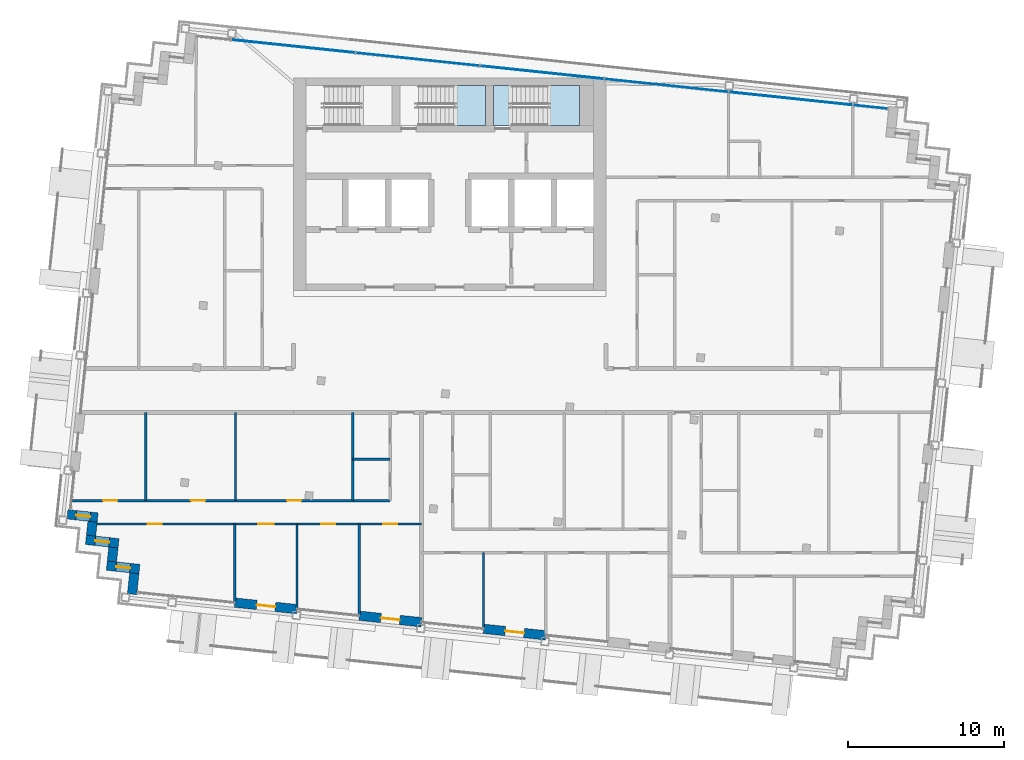
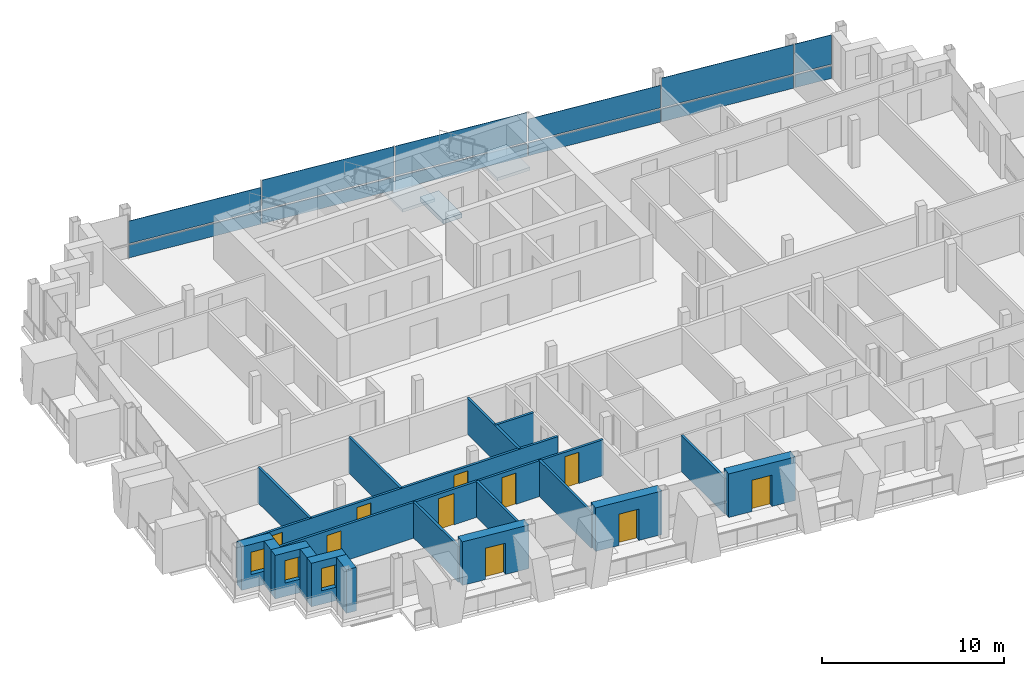
# One storey, part 8 of 17: 19 walls, 12 plates, 10 doors, 3 slabs, 3 windows, 13 openings, 3 elements without a shape of their own.
"""IFC4 building model written with IfcOpenShell, lengths in metres."""

from ifc_helpers import new_model, si_unit, direction, frame, frame_2d, origin, origin_2d, place, context, subcontext, project, spatial, polyline, rectangle, outline, extrude, material, layer, layer_set, type_object, element, fill, aggregate, save


model = new_model("IFC4")

# Units and contexts
model_context = context("Model", 3, precision=1e-05, world=origin(), true_north=direction((0.0, 1.0)))
body_context = subcontext(model_context, "Body", "Model", "MODEL_VIEW")
ifc_project = project(units=[si_unit("LENGTHUNIT", "METRE"), si_unit("AREAUNIT", "SQUARE_METRE"), si_unit("VOLUMEUNIT", "CUBIC_METRE"), si_unit("PLANEANGLEUNIT", "RADIAN"), si_unit("MASSUNIT", "GRAM", prefix="KILO")], contexts=[model_context])

# Site, building, storey
site_placement = place(None, origin())
site = spatial("IfcSite", under=ifc_project, at=site_placement, CompositionType="ELEMENT")
building_placement = place(site_placement, origin())
building = spatial("IfcBuilding", under=site, at=building_placement, Name="Vidyagriha Tower", CompositionType="ELEMENT")
storey_placement = place(building_placement, frame((0.0, 0.0, 265.89990234375)))
storey = spatial("IfcBuildingStorey", under=building, at=storey_placement, Name="L69", CompositionType="ELEMENT", Elevation=265.89990234375)

# Curtain wall, plates
ifc_material_1 = material(Name="Aluminium and glass curtain wall", Category="aluminium")
curtain_wall_type = type_object("IfcCurtainWallType", Name="Dwelling skin unitised curtain wall", PredefinedType="USERDEFINED", material=ifc_material_1)
curtain_wall_placement = place(storey_placement, origin())
curtain_wall = element("IfcCurtainWall", 1, at=curtain_wall_placement, inside=storey, type_object=curtain_wall_type, Name="CW1 dwelling skin", ObjectType="UNITISED", PredefinedType="USERDEFINED")
ifc_material_2 = material(Name="Glass dark ceramic-fritted spandrel", Category="glass")
ifc_layer_1 = layer(ifc_material_2, 0.0400390625)
ifc_layer_set_1 = layer_set([ifc_layer_1], Name="Glass dark ceramic-fritted spandrel")
plate_type_1 = type_object("IfcPlateType", Name="Ceramic-fritted spandrel panel", PredefinedType="CURTAIN_PANEL", material=ifc_layer_set_1)
plate_1_placement = place(storey_placement, frame((26.922607421875, 18.14599609375, 0.0), z_axis=(0.0, 0.0, 1.0), x_axis=(-0.994521854435, 0.104528852722, 0.0)))
plate_1 = element("IfcPlate", 2, at=plate_1_placement, type_object=plate_type_1, Name="CW1 panel 1.1", PredefinedType="CURTAIN_PANEL", context=body_context, shape_type="SweptSolid", body=[
    extrude(rectangle(XDim=2.195068359375, YDim=0.0400390625, at=origin_2d()), origin(), (0.0, 0.0, 1.0), 0.85009765625),
])
plate_2_placement = place(storey_placement, frame((13.862060546875, 19.518798828125, 0.0), z_axis=(0.0, 0.0, 1.0), x_axis=(-0.994521854435, 0.104528852722, 0.0)))
plate_2 = element("IfcPlate", 3, at=plate_2_placement, type_object=plate_type_1, Name="CW1 panel 3.1", PredefinedType="CURTAIN_PANEL", context=body_context, shape_type="SweptSolid", body=[
    extrude(rectangle(XDim=7.929931640625, YDim=0.0400390625, at=origin_2d()), origin(), (0.0, 0.0, 1.0), 0.85009765625),
])
plate_3_placement = place(storey_placement, frame((-2.05029296875, 21.191162109375, 0.0), z_axis=(0.0, 0.0, 1.0), x_axis=(-0.994521854435, 0.104528852722, 0.0)))
plate_3 = element("IfcPlate", 4, at=plate_3_placement, type_object=plate_type_1, Name="CW1 panel 5.1", PredefinedType="CURTAIN_PANEL", context=body_context, shape_type="SweptSolid", body=[
    extrude(rectangle(XDim=7.929931640625, YDim=0.0400390625, at=origin_2d()), origin(), (0.0, 0.0, 1.0), 0.85009765625),
])
ifc_material_3 = material(Name="Glass dark ceramic-fritted", Category="glass")
ifc_layer_2 = layer(ifc_material_3, 0.028076171875)
ifc_layer_set_2 = layer_set([ifc_layer_2], Name="Glass dark ceramic-fritted")
plate_type_2 = type_object("IfcPlateType", Name="Dark ceramic-fritted vision glass panel", PredefinedType="CURTAIN_PANEL", material=ifc_layer_set_2)
plate_4_placement = place(storey_placement, frame((26.922607421875, 18.14599609375, 0.9501953125), z_axis=(0.0, 0.0, 1.0), x_axis=(-0.994521854435, 0.104528852722, 0.0)))
plate_4 = element("IfcPlate", 5, at=plate_4_placement, type_object=plate_type_2, Name="CW1 panel 1.2", PredefinedType="CURTAIN_PANEL", context=body_context, shape_type="SweptSolid", body=[
    extrude(rectangle(XDim=2.195068359375, YDim=0.028076171875, at=origin_2d()), origin(), (0.0, 0.0, 1.0), 1.969970703125),
])
plate_5_placement = place(storey_placement, frame((21.818359375, 18.6826171875, 0.9501953125), z_axis=(0.0, 0.0, 1.0), x_axis=(-0.994521854435, 0.104528852722, 0.0)))
plate_5 = element("IfcPlate", 6, at=plate_5_placement, type_object=plate_type_2, Name="CW1 panel 2.2", PredefinedType="CURTAIN_PANEL", context=body_context, shape_type="SweptSolid", body=[
    extrude(rectangle(XDim=7.929931640625, YDim=0.028076171875, at=origin_2d()), origin(), (0.0, 0.0, 1.0), 1.969970703125),
])
plate_6_placement = place(storey_placement, frame((13.862060546875, 19.518798828125, 0.9501953125), z_axis=(0.0, 0.0, 1.0), x_axis=(-0.994521854435, 0.104528852722, 0.0)))
plate_6 = element("IfcPlate", 7, at=plate_6_placement, type_object=plate_type_2, Name="CW1 panel 3.2", PredefinedType="CURTAIN_PANEL", context=body_context, shape_type="SweptSolid", body=[
    extrude(rectangle(XDim=7.929931640625, YDim=0.028076171875, at=origin_2d()), origin(), (0.0, 0.0, 1.0), 1.5078125),
])
plate_7_placement = place(storey_placement, frame((5.906005859375, 20.35498046875, 0.9501953125), z_axis=(0.0, 0.0, 1.0), x_axis=(-0.994521854435, 0.104528852722, 0.0)))
plate_7 = element("IfcPlate", 8, at=plate_7_placement, type_object=plate_type_2, Name="CW1 panel 4.2", PredefinedType="CURTAIN_PANEL", context=body_context, shape_type="SweptSolid", body=[
    extrude(rectangle(XDim=7.929931640625, YDim=0.028076171875, at=origin_2d()), origin(), (0.0, 0.0, 1.0), 1.969970703125),
])
plate_8_placement = place(storey_placement, frame((-2.05029296875, 21.191162109375, 0.9501953125), z_axis=(0.0, 0.0, 1.0), x_axis=(-0.994521854435, 0.104528852722, 0.0)))
plate_8 = element("IfcPlate", 9, at=plate_8_placement, type_object=plate_type_2, Name="CW1 panel 5.2", PredefinedType="CURTAIN_PANEL", context=body_context, shape_type="SweptSolid", body=[
    extrude(rectangle(XDim=7.929931640625, YDim=0.028076171875, at=origin_2d()), origin(), (0.0, 0.0, 1.0), 1.969970703125),
])
plate_9_placement = place(storey_placement, frame((-10.00634765625, 22.027587890625, 0.9501953125), z_axis=(0.0, 0.0, 1.0), x_axis=(-0.994521854435, 0.104528852722, 0.0)))
plate_9 = element("IfcPlate", 10, at=plate_9_placement, type_object=plate_type_2, Name="CW1 panel 6.2", PredefinedType="CURTAIN_PANEL", context=body_context, shape_type="SweptSolid", body=[
    extrude(rectangle(XDim=7.929931640625, YDim=0.028076171875, at=origin_2d()), origin(), (0.0, 0.0, 1.0), 1.5078125),
])

# Slab
ifc_material_4 = material(Name="Concrete C40/50", Category="concrete")
ifc_layer_3 = layer(ifc_material_4, 0.280029296875)
ifc_layer_set_3 = layer_set([ifc_layer_3], Name="Concrete C40/50")
slab_type_1 = type_object("IfcSlabType", Name="Exit stair floor landing 280 mm", PredefinedType="LANDING", material=ifc_layer_set_3)
slab_1_placement = place(storey_placement, frame((0.0, 0.0, -0.27978515625)))
element("IfcSlab", 11, at=slab_1_placement, inside=storey, type_object=slab_type_1, Name="ST3 floor landing L69", PredefinedType="LANDING", context=body_context, shape_type="SweptSolid", body=[
    extrude(outline(polyline([(2.800048828125, 16.949951171875), (4.0, 16.949951171875), (4.0, 19.5), (2.800048828125, 19.5), (2.800048828125, 16.949951171875)])), origin(), (0.0, 0.0, 1.0), 0.27978515625),
])

# Stair, slab
ifc_material_5 = material(Name="Concrete C40/50", Category="concrete")
stair_type = type_object("IfcStairType", Name="Exit stair, half-turn, precast flights", PredefinedType="HALF_TURN_STAIR", material=ifc_material_5)
stair_1_placement = place(storey_placement, origin())
stair_1 = element("IfcStair", 12, at=stair_1_placement, inside=storey, type_object=stair_type, Name="L69 Exit Stair ST2", PredefinedType="HALF_TURN_STAIR")
ifc_material_6 = material(Name="Concrete C40/50", Category="concrete")
ifc_layer_4 = layer(ifc_material_6, 0.199951171875)
ifc_layer_set_4 = layer_set([ifc_layer_4], Name="Concrete C40/50")
slab_type_2 = type_object("IfcSlabType", Name="Exit stair landing 200 mm", PredefinedType="LANDING", material=ifc_layer_set_4)
slab_2_placement = place(storey_placement, frame((0.0, 0.0, 1.400146484375)))
slab_2 = element("IfcSlab", 13, at=slab_2_placement, type_object=slab_type_2, Name="ST2 landing 1", PredefinedType="LANDING", context=body_context, shape_type="SweptSolid", body=[
    extrude(outline(polyline([(0.239990234375, 16.949951171875), (2.300048828125, 16.949951171875), (2.300048828125, 19.5), (0.239990234375, 19.5), (0.239990234375, 16.949951171875)])), origin(), (0.0, 0.0, 1.0), 0.199951171875),
])
aggregate(stair_1, [slab_2])

stair_2_placement = place(storey_placement, origin())
stair_2 = element("IfcStair", 14, at=stair_2_placement, inside=storey, type_object=stair_type, Name="L69 Exit Stair ST3", PredefinedType="HALF_TURN_STAIR")
slab_3_placement = place(storey_placement, frame((0.0, 0.0, 1.400146484375)))
slab_3 = element("IfcSlab", 15, at=slab_3_placement, type_object=slab_type_2, Name="ST3 landing 1", PredefinedType="LANDING", context=body_context, shape_type="SweptSolid", body=[
    extrude(outline(polyline([(6.239990234375, 16.949951171875), (8.300048828125, 16.949951171875), (8.300048828125, 19.5), (6.239990234375, 19.5), (6.239990234375, 16.949951171875)])), origin(), (0.0, 0.0, 1.0), 0.199951171875),
])
aggregate(stair_2, [slab_3])

# Plate
ifc_material_7 = material(Name="Aluminium black anodised", Category="aluminium")
ifc_layer_5 = layer(ifc_material_7, 0.06005859375)
ifc_layer_set_5 = layer_set([ifc_layer_5], Name="Aluminium black anodised")
plate_type_3 = type_object("IfcPlateType", Name="Operable black-metal vent panel", PredefinedType="CURTAIN_PANEL", material=ifc_layer_set_5)
plate_10_placement = place(storey_placement, frame((21.818359375, 18.6826171875, 0.0), z_axis=(0.0, 0.0, 1.0), x_axis=(-0.994521854435, 0.104528852722, 0.0)))
plate_10 = element("IfcPlate", 16, at=plate_10_placement, type_object=plate_type_3, Name="CW1 panel 2.1", PredefinedType="CURTAIN_PANEL", context=body_context, shape_type="SweptSolid", body=[
    extrude(rectangle(XDim=7.929931640625, YDim=0.06005859375, at=origin_2d()), origin(), (0.0, 0.0, 1.0), 0.85009765625),
])

plate_11_placement = place(storey_placement, frame((5.906005859375, 20.35498046875, 0.0), z_axis=(0.0, 0.0, 1.0), x_axis=(-0.994521854435, 0.104528852722, 0.0)))
plate_11 = element("IfcPlate", 17, at=plate_11_placement, type_object=plate_type_3, Name="CW1 panel 4.1", PredefinedType="CURTAIN_PANEL", context=body_context, shape_type="SweptSolid", body=[
    extrude(rectangle(XDim=7.929931640625, YDim=0.06005859375, at=origin_2d()), origin(), (0.0, 0.0, 1.0), 0.85009765625),
])

plate_12_placement = place(storey_placement, frame((-10.00634765625, 22.027587890625, 0.0), z_axis=(0.0, 0.0, 1.0), x_axis=(-0.994521854435, 0.104528852722, 0.0)))
plate_12 = element("IfcPlate", 18, at=plate_12_placement, type_object=plate_type_3, Name="CW1 panel 6.1", PredefinedType="CURTAIN_PANEL", context=body_context, shape_type="SweptSolid", body=[
    extrude(rectangle(XDim=7.929931640625, YDim=0.06005859375, at=origin_2d()), origin(), (0.0, 0.0, 1.0), 0.85009765625),
])

aggregate(curtain_wall, [plate_1, plate_4, plate_10, plate_5, plate_2, plate_6, plate_11, plate_7, plate_3, plate_8, plate_12, plate_9])

# Wall, opening, window
ifc_material_8 = material(Name="Precast concrete C40/50 with brick facing", Category="concrete")
ifc_layer_6 = layer(ifc_material_8, 0.60009765625)
ifc_layer_set_6 = layer_set([ifc_layer_6], Name="Precast concrete C40/50 with brick facing")
wall_type_1 = type_object("IfcWallType", Name="Brick-faced precast wall 600", PredefinedType="STANDARD", material=ifc_layer_set_6)
wall_1_placement = place(storey_placement, frame((-24.466552734375, -7.92529296875, 0.0), z_axis=(0.0, 0.0, 1.0), x_axis=(0.994521219184, -0.104534896528, 0.0)))
wall_1 = element("IfcWall", 19, at=wall_1_placement, inside=storey, type_object=wall_type_1, Name="Stepped corner wall L69 R15", PredefinedType="STANDARD", context=body_context, shape_type="SweptSolid", body=[
    extrude(rectangle(XDim=1.9501953125, YDim=0.60009765625, at=frame_2d((0.97509765625, 0.0))), origin(), (0.0, 0.0, 1.0), 2.920166015625),
])
opening_1_placement = place(wall_1_placement, frame((0.56005859375, 0.0, 0.89990234375)))
opening_1 = element("IfcOpeningElement", 20, at=opening_1_placement, cuts=wall_1, Name="Opening WN1", PredefinedType="OPENING", context=body_context, shape_type="SweptSolid", body=[
    extrude(rectangle(XDim=0.89990234375, YDim=1.5, at=frame_2d((0.449951171875, 0.75))), frame((0.0, 0.31005859375, 0.0), z_axis=(0.0, -1.0, 0.0), x_axis=(1.0, 0.0, 0.0)), (0.0, 0.0, 1.0), 0.6201171875),
])
ifc_material_9 = material(Name="Aluminium and glass window", Category="aluminium")
window_type = type_object("IfcWindowType", Name="Reveal window 900x1500", PartitioningType="NOTDEFINED", PredefinedType="WINDOW", material=ifc_material_9)
window_1_placement = place(opening_1_placement, origin())
window_1 = element("IfcWindow", 21, at=window_1_placement, inside=storey, type_object=window_type, Name="Reveal window L69 R15", OverallHeight=1.5, OverallWidth=0.89990234375, PartitioningType="SINGLE_PANEL", PredefinedType="WINDOW", context=body_context, shape_type="SweptSolid", body=[
    extrude(rectangle(XDim=0.89990234375, YDim=1.5, at=frame_2d((0.449951171875, 0.75))), frame((0.0, 0.030029296875, 0.0), z_axis=(0.0, -1.0, 0.0), x_axis=(1.0, 0.0, 0.0)), (0.0, 0.0, 1.0), 0.06005859375),
])
fill(opening_1, window_1)

# Wall
wall_2_placement = place(storey_placement, frame((-22.85693359375, -8.39599609375, 0.0), z_axis=(0.0, 0.0, 1.0), x_axis=(-0.104444712852, -0.994530694326, 0.0)))
element("IfcWall", 22, at=wall_2_placement, inside=storey, type_object=wall_type_1, Name="Stepped corner wall L69 R16", PredefinedType="STANDARD", context=body_context, shape_type="SweptSolid", body=[
    extrude(rectangle(XDim=0.89990234375, YDim=0.60009765625, at=frame_2d((0.449951171875, 0.0))), origin(), (0.0, 0.0, 1.0), 2.920166015625),
])

# Wall, opening, window
wall_3_placement = place(storey_placement, frame((-23.28076171875, -9.55810546875, 0.0), z_axis=(0.0, 0.0, 1.0), x_axis=(0.994523910136, -0.104509292252, 0.0)))
wall_3 = element("IfcWall", 23, at=wall_3_placement, inside=storey, type_object=wall_type_1, Name="Stepped corner wall L69 R17", PredefinedType="STANDARD", context=body_context, shape_type="SweptSolid", body=[
    extrude(rectangle(XDim=2.10009765625, YDim=0.60009765625, at=frame_2d((1.050048828125, 0.0))), origin(), (0.0, 0.0, 1.0), 2.920166015625),
])
opening_2_placement = place(wall_3_placement, frame((0.60009765625, 0.0, 0.89990234375)))
opening_2 = element("IfcOpeningElement", 24, at=opening_2_placement, cuts=wall_3, Name="Opening WN1", PredefinedType="OPENING", context=body_context, shape_type="SweptSolid", body=[
    extrude(rectangle(XDim=0.89990234375, YDim=1.5, at=frame_2d((0.449951171875, 0.75))), frame((0.0, 0.31005859375, 0.0), z_axis=(0.0, -1.0, 0.0), x_axis=(1.0, 0.0, 0.0)), (0.0, 0.0, 1.0), 0.6201171875),
])
window_2_placement = place(opening_2_placement, origin())
window_2 = element("IfcWindow", 25, at=window_2_placement, inside=storey, type_object=window_type, Name="Reveal window L69 R17", OverallHeight=1.5, OverallWidth=0.89990234375, PartitioningType="SINGLE_PANEL", PredefinedType="WINDOW", context=body_context, shape_type="SweptSolid", body=[
    extrude(rectangle(XDim=0.89990234375, YDim=1.5, at=frame_2d((0.449951171875, 0.75))), frame((0.0, 0.030029296875, 0.0), z_axis=(0.0, -1.0, 0.0), x_axis=(1.0, 0.0, 0.0)), (0.0, 0.0, 1.0), 0.06005859375),
])
fill(opening_2, window_2)

# Wall
wall_4_placement = place(storey_placement, frame((-21.52197265625, -10.04443359375, 0.0), z_axis=(0.0, 0.0, 1.0), x_axis=(-0.104416541099, -0.994533652495, 0.0)))
element("IfcWall", 26, at=wall_4_placement, inside=storey, type_object=wall_type_1, Name="Stepped corner wall L69 R18", PredefinedType="STANDARD", context=body_context, shape_type="SweptSolid", body=[
    extrude(rectangle(XDim=0.900146484375, YDim=0.60009765625, at=frame_2d((0.4501953125, 0.0))), origin(), (0.0, 0.0, 1.0), 2.920166015625),
])

# Wall, opening, window
wall_5_placement = place(storey_placement, frame((-21.94580078125, -11.20654296875, 0.0), z_axis=(0.0, 0.0, 1.0), x_axis=(0.994511820899, -0.104624271047, 0.0)))
wall_5 = element("IfcWall", 27, at=wall_5_placement, inside=storey, type_object=wall_type_1, Name="Stepped corner wall L69 R19", PredefinedType="STANDARD", context=body_context, shape_type="SweptSolid", body=[
    extrude(rectangle(XDim=2.10009765625, YDim=0.60009765625, at=frame_2d((1.050048828125, 0.0))), origin(), (0.0, 0.0, 1.0), 2.920166015625),
])
opening_3_placement = place(wall_5_placement, frame((0.60009765625, 0.0, 0.89990234375)))
opening_3 = element("IfcOpeningElement", 28, at=opening_3_placement, cuts=wall_5, Name="Opening WN1", PredefinedType="OPENING", context=body_context, shape_type="SweptSolid", body=[
    extrude(rectangle(XDim=0.89990234375, YDim=1.5, at=frame_2d((0.449951171875, 0.75))), frame((0.0, 0.31005859375, 0.0), z_axis=(0.0, -1.0, 0.0), x_axis=(1.0, 0.0, 0.0)), (0.0, 0.0, 1.0), 0.6201171875),
])
window_3_placement = place(opening_3_placement, origin())
window_3 = element("IfcWindow", 29, at=window_3_placement, inside=storey, type_object=window_type, Name="Reveal window L69 R19", OverallHeight=1.5, OverallWidth=0.89990234375, PartitioningType="SINGLE_PANEL", PredefinedType="WINDOW", context=body_context, shape_type="SweptSolid", body=[
    extrude(rectangle(XDim=0.89990234375, YDim=1.5, at=frame_2d((0.449951171875, 0.75))), frame((0.0, 0.030029296875, 0.0), z_axis=(0.0, -1.0, 0.0), x_axis=(1.0, 0.0, 0.0)), (0.0, 0.0, 1.0), 0.06005859375),
])
fill(opening_3, window_3)

# Wall
wall_6_placement = place(storey_placement, frame((-20.18701171875, -11.693115234375, 0.0), z_axis=(0.0, 0.0, 1.0), x_axis=(-0.1043365026, -0.994542052517, 0.0)))
element("IfcWall", 30, at=wall_6_placement, inside=storey, type_object=wall_type_1, Name="Stepped corner wall L69 R20", PredefinedType="STANDARD", context=body_context, shape_type="SweptSolid", body=[
    extrude(rectangle(XDim=1.35009765625, YDim=0.60009765625, at=frame_2d((0.675048828125, 0.0))), origin(), (0.0, 0.0, 1.0), 2.920166015625),
])

# Wall, opening, door
wall_7_placement = place(storey_placement, frame((-13.74853515625, -13.576416015625, 0.0), z_axis=(0.0, 0.0, 1.0), x_axis=(0.994519156568, -0.104554517933, 0.0)))
wall_7 = element("IfcWall", 31, at=wall_7_placement, inside=storey, type_object=wall_type_1, Name="Brick door bay wall L69 R21.3", PredefinedType="STANDARD", context=body_context, shape_type="SweptSolid", body=[
    extrude(rectangle(XDim=4.0, YDim=0.60009765625, at=frame_2d((2.0, 0.0))), origin(), (0.0, 0.0, 1.0), 2.920166015625),
])
opening_4_placement = place(wall_7_placement, frame((1.39990234375, 0.0, 0.0)))
opening_4 = element("IfcOpeningElement", 32, at=opening_4_placement, cuts=wall_7, Name="Opening D69-59", PredefinedType="OPENING", context=body_context, shape_type="SweptSolid", body=[
    extrude(rectangle(XDim=1.199951171875, YDim=2.10009765625, at=frame_2d((0.60009765625, 1.050048828125))), frame((0.0, 0.31005859375, 0.0), z_axis=(0.0, -1.0, 0.0), x_axis=(1.0, 0.0, 0.0)), (0.0, 0.0, 1.0), 0.6201171875),
])
ifc_material_10 = material(Name="Aluminium framed glazed sliding door", Category="aluminium")
door_type_1 = type_object("IfcDoorType", Name="Balcony sliding door 1200x2100", OperationType="NOTDEFINED", PredefinedType="DOOR", material=ifc_material_10)
door_1_placement = place(opening_4_placement, origin())
door_1 = element("IfcDoor", 33, at=door_1_placement, inside=storey, type_object=door_type_1, Name="Door D69-59", OperationType="SLIDING_TO_LEFT", OverallHeight=2.10009765625, OverallWidth=1.199951171875, PredefinedType="DOOR", context=body_context, shape_type="SweptSolid", body=[
    extrude(rectangle(XDim=1.199951171875, YDim=2.10009765625, at=frame_2d((0.60009765625, 1.050048828125))), frame((0.0, 0.02490234375, 0.0), z_axis=(0.0, -1.0, 0.0), x_axis=(1.0, 0.0, 0.0)), (0.0, 0.0, 1.0), 0.050048828125),
])
fill(opening_4, door_1)

wall_8_placement = place(storey_placement, frame((-5.792236328125, -14.412841796875, 0.0), z_axis=(0.0, 0.0, 1.0), x_axis=(0.99452550138, -0.104494148666, 0.0)))
wall_8 = element("IfcWall", 34, at=wall_8_placement, inside=storey, type_object=wall_type_1, Name="Brick door bay wall L69 R21.5", PredefinedType="STANDARD", context=body_context, shape_type="SweptSolid", body=[
    extrude(rectangle(XDim=4.0, YDim=0.60009765625, at=frame_2d((2.0, 0.0))), origin(), (0.0, 0.0, 1.0), 2.920166015625),
])
opening_5_placement = place(wall_8_placement, frame((1.39990234375, 0.0, 0.0)))
opening_5 = element("IfcOpeningElement", 35, at=opening_5_placement, cuts=wall_8, Name="Opening D69-60", PredefinedType="OPENING", context=body_context, shape_type="SweptSolid", body=[
    extrude(rectangle(XDim=1.199951171875, YDim=2.10009765625, at=frame_2d((0.60009765625, 1.050048828125))), frame((0.0, 0.31005859375, 0.0), z_axis=(0.0, -1.0, 0.0), x_axis=(1.0, 0.0, 0.0)), (0.0, 0.0, 1.0), 0.6201171875),
])
door_2_placement = place(opening_5_placement, origin())
door_2 = element("IfcDoor", 36, at=door_2_placement, inside=storey, type_object=door_type_1, Name="Door D69-60", OperationType="SLIDING_TO_LEFT", OverallHeight=2.10009765625, OverallWidth=1.199951171875, PredefinedType="DOOR", context=body_context, shape_type="SweptSolid", body=[
    extrude(rectangle(XDim=1.199951171875, YDim=2.10009765625, at=frame_2d((0.60009765625, 1.050048828125))), frame((0.0, 0.02490234375, 0.0), z_axis=(0.0, -1.0, 0.0), x_axis=(1.0, 0.0, 0.0)), (0.0, 0.0, 1.0), 0.050048828125),
])
fill(opening_5, door_2)

wall_9_placement = place(storey_placement, frame((2.163818359375, -15.2490234375, 0.0), z_axis=(0.0, 0.0, 1.0), x_axis=(0.99452550138, -0.104494148666, 0.0)))
wall_9 = element("IfcWall", 37, at=wall_9_placement, inside=storey, type_object=wall_type_1, Name="Brick door bay wall L69 R21.7", PredefinedType="STANDARD", context=body_context, shape_type="SweptSolid", body=[
    extrude(rectangle(XDim=4.0, YDim=0.60009765625, at=frame_2d((2.0, 0.0))), origin(), (0.0, 0.0, 1.0), 2.920166015625),
])
opening_6_placement = place(wall_9_placement, frame((1.39990234375, 0.0, 0.0)))
opening_6 = element("IfcOpeningElement", 38, at=opening_6_placement, cuts=wall_9, Name="Opening D69-61", PredefinedType="OPENING", context=body_context, shape_type="SweptSolid", body=[
    extrude(rectangle(XDim=1.199951171875, YDim=2.10009765625, at=frame_2d((0.60009765625, 1.050048828125))), frame((0.0, 0.31005859375, 0.0), z_axis=(0.0, -1.0, 0.0), x_axis=(1.0, 0.0, 0.0)), (0.0, 0.0, 1.0), 0.6201171875),
])
door_3_placement = place(opening_6_placement, origin())
door_3 = element("IfcDoor", 39, at=door_3_placement, inside=storey, type_object=door_type_1, Name="Door D69-61", OperationType="SLIDING_TO_LEFT", OverallHeight=2.10009765625, OverallWidth=1.199951171875, PredefinedType="DOOR", context=body_context, shape_type="SweptSolid", body=[
    extrude(rectangle(XDim=1.199951171875, YDim=2.10009765625, at=frame_2d((0.60009765625, 1.050048828125))), frame((0.0, 0.02490234375, 0.0), z_axis=(0.0, -1.0, 0.0), x_axis=(1.0, 0.0, 0.0)), (0.0, 0.0, 1.0), 0.050048828125),
])
fill(opening_6, door_3)

# Walls
ifc_material_11 = material(Name="Gypsum board partition")
ifc_layer_7 = layer(ifc_material_11, 0.14990234375)
ifc_layer_set_7 = layer_set([ifc_layer_7], Name="Gypsum board partition")
wall_type_2 = type_object("IfcWallType", Name="Gypsum board partition 150", PredefinedType="PARTITIONING", material=ifc_layer_set_7)
wall_10_placement = place(storey_placement, frame((-3.81396484375, -4.39990234375, 0.0), z_axis=(0.0, 0.0, 1.0), x_axis=(-1.0, 0.0, 0.0)))
element("IfcWall", 40, at=wall_10_placement, inside=storey, type_object=wall_type_2, Name="Wall all-L69-w004", PredefinedType="PARTITIONING", context=body_context, shape_type="SweptSolid", body=[
    extrude(rectangle(XDim=2.400146484375, YDim=0.14990234375, at=frame_2d((1.2001953125, 0.0))), origin(), (0.0, 0.0, 1.0), 2.400146484375),
])
for number, where, z_axis, x_axis, name in (
    (41, (-6.214111328125, -7.046630859375, 0.0), (0.0, 0.0, 1.0), (0.0, 1.0, 0.0), "Wall all-L69-w005"),
    (42, (-13.714111328125, -7.046630859375, 0.0), (0.0, 0.0, 1.0), (0.0, 1.0, 0.0), "Wall all-L69-w006"),
    (43, (-19.464111328125, -7.046630859375, 0.0), (0.0, 0.0, 1.0), (0.0, 1.0, 0.0), "Wall all-L69-w007"),
):
    element("IfcWall", number, at=place(storey_placement, frame(where, z_axis=z_axis, x_axis=x_axis)), inside=storey, type_object=wall_type_2, Name=name, PredefinedType="PARTITIONING", context=body_context, shape_type="SweptSolid", body=[
        extrude(rectangle(XDim=5.646728515625, YDim=0.14990234375, at=frame_2d((2.8232421875, 0.0))), origin(), (0.0, 0.0, 1.0), 2.400146484375),
    ])

# Wall, openings, doors
wall_11_placement = place(storey_placement, frame((-24.143798828125, -7.046630859375, 0.0)))
wall_11 = element("IfcWall", 44, at=wall_11_placement, inside=storey, type_object=wall_type_2, Name="Wall all-L69-w008", PredefinedType="PARTITIONING", context=body_context, shape_type="SweptSolid", body=[
    extrude(rectangle(XDim=20.329833984375, YDim=0.14990234375, at=frame_2d((10.1650390625, 0.0))), origin(), (0.0, 0.0, 1.0), 2.400146484375),
])
opening_7_placement = place(wall_11_placement, frame((13.72998046875, 0.0, 0.0)))
opening_7 = element("IfcOpeningElement", 45, at=opening_7_placement, cuts=wall_11, Name="Opening D69-12", PredefinedType="OPENING", context=body_context, shape_type="SweptSolid", body=[
    extrude(rectangle(XDim=0.89990234375, YDim=2.10009765625, at=frame_2d((0.449951171875, 1.050048828125))), frame((0.0, 0.0849609375, 0.0), z_axis=(0.0, -1.0, 0.0), x_axis=(1.0, 0.0, 0.0)), (0.0, 0.0, 1.0), 0.169921875),
])
opening_8_placement = place(wall_11_placement, frame((7.585205078125, 0.0, 0.0)))
opening_8 = element("IfcOpeningElement", 46, at=opening_8_placement, cuts=wall_11, Name="Opening D69-13", PredefinedType="OPENING", context=body_context, shape_type="SweptSolid", body=[
    extrude(rectangle(XDim=0.89990234375, YDim=2.10009765625, at=frame_2d((0.449951171875, 1.050048828125))), frame((0.0, 0.0849609375, 0.0), z_axis=(0.0, -1.0, 0.0), x_axis=(1.0, 0.0, 0.0)), (0.0, 0.0, 1.0), 0.169921875),
])
opening_9_placement = place(wall_11_placement, frame((1.968017578125, 0.0, 0.0)))
opening_9 = element("IfcOpeningElement", 47, at=opening_9_placement, cuts=wall_11, Name="Opening D69-14", PredefinedType="OPENING", context=body_context, shape_type="SweptSolid", body=[
    extrude(rectangle(XDim=0.89990234375, YDim=2.10009765625, at=frame_2d((0.449951171875, 1.050048828125))), frame((0.0, 0.0849609375, 0.0), z_axis=(0.0, -1.0, 0.0), x_axis=(1.0, 0.0, 0.0)), (0.0, 0.0, 1.0), 0.169921875),
])
ifc_material_12 = material(Name="Timber door leaf", Category="wood")
door_type_2 = type_object("IfcDoorType", Name="Room door 900x2100", OperationType="NOTDEFINED", PredefinedType="DOOR", material=ifc_material_12)
door_4_placement = place(opening_7_placement, origin())
door_4 = element("IfcDoor", 48, at=door_4_placement, inside=storey, type_object=door_type_2, Name="Door D69-12", OperationType="SINGLE_SWING_LEFT", OverallHeight=2.10009765625, OverallWidth=0.89990234375, PredefinedType="DOOR", context=body_context, shape_type="SweptSolid", body=[
    extrude(rectangle(XDim=0.89990234375, YDim=2.10009765625, at=frame_2d((0.449951171875, 1.050048828125))), frame((0.0, 0.02490234375, 0.0), z_axis=(0.0, -1.0, 0.0), x_axis=(1.0, 0.0, 0.0)), (0.0, 0.0, 1.0), 0.050048828125),
])
fill(opening_7, door_4)
door_5_placement = place(opening_8_placement, origin())
door_5 = element("IfcDoor", 49, at=door_5_placement, inside=storey, type_object=door_type_2, Name="Door D69-13", OperationType="SINGLE_SWING_RIGHT", OverallHeight=2.10009765625, OverallWidth=0.89990234375, PredefinedType="DOOR", context=body_context, shape_type="SweptSolid", body=[
    extrude(rectangle(XDim=0.89990234375, YDim=2.10009765625, at=frame_2d((0.449951171875, 1.050048828125))), frame((0.0, 0.02490234375, 0.0), z_axis=(0.0, -1.0, 0.0), x_axis=(1.0, 0.0, 0.0)), (0.0, 0.0, 1.0), 0.050048828125),
])
fill(opening_8, door_5)
door_6_placement = place(opening_9_placement, origin())
door_6 = element("IfcDoor", 50, at=door_6_placement, inside=storey, type_object=door_type_2, Name="Door D69-14", OperationType="SINGLE_SWING_LEFT", OverallHeight=2.10009765625, OverallWidth=0.89990234375, PredefinedType="DOOR", context=body_context, shape_type="SweptSolid", body=[
    extrude(rectangle(XDim=0.89990234375, YDim=2.10009765625, at=frame_2d((0.449951171875, 1.050048828125))), frame((0.0, 0.02490234375, 0.0), z_axis=(0.0, -1.0, 0.0), x_axis=(1.0, 0.0, 0.0)), (0.0, 0.0, 1.0), 0.050048828125),
])
fill(opening_9, door_6)

wall_12_placement = place(storey_placement, frame((-1.81396484375, -8.546630859375, 0.0), z_axis=(0.0, 0.0, 1.0), x_axis=(-1.0, 0.0, 0.0)))
wall_12 = element("IfcWall", 51, at=wall_12_placement, inside=storey, type_object=wall_type_2, Name="Wall all-L69-w012", PredefinedType="PARTITIONING", context=body_context, shape_type="SweptSolid", body=[
    extrude(rectangle(XDim=20.767333984375, YDim=0.14990234375, at=frame_2d((10.3837890625, 0.0))), origin(), (0.0, 0.0, 1.0), 2.400146484375),
])
opening_10_placement = place(wall_12_placement, frame((16.604248046875, 0.0, 0.0)))
opening_10 = element("IfcOpeningElement", 52, at=opening_10_placement, cuts=wall_12, Name="Opening D69-15", PredefinedType="OPENING", context=body_context, shape_type="SweptSolid", body=[
    extrude(rectangle(XDim=0.89990234375, YDim=2.10009765625, at=frame_2d((0.449951171875, 1.050048828125))), frame((0.0, 0.0849609375, 0.0), z_axis=(0.0, -1.0, 0.0), x_axis=(1.0, 0.0, 0.0)), (0.0, 0.0, 1.0), 0.169921875),
])
opening_11_placement = place(wall_12_placement, frame((9.445556640625, 0.0, 0.0)))
opening_11 = element("IfcOpeningElement", 53, at=opening_11_placement, cuts=wall_12, Name="Opening D69-16", PredefinedType="OPENING", context=body_context, shape_type="SweptSolid", body=[
    extrude(rectangle(XDim=1.0, YDim=2.10009765625, at=frame_2d((0.5, 1.050048828125))), frame((0.0, 0.0849609375, 0.0), z_axis=(0.0, -1.0, 0.0), x_axis=(1.0, 0.0, 0.0)), (0.0, 0.0, 1.0), 0.169921875),
])
opening_12_placement = place(wall_12_placement, frame((5.517333984375, 0.0, 0.0)))
opening_12 = element("IfcOpeningElement", 54, at=opening_12_placement, cuts=wall_12, Name="Opening D69-17", PredefinedType="OPENING", context=body_context, shape_type="SweptSolid", body=[
    extrude(rectangle(XDim=0.89990234375, YDim=2.10009765625, at=frame_2d((0.449951171875, 1.050048828125))), frame((0.0, 0.0849609375, 0.0), z_axis=(0.0, -1.0, 0.0), x_axis=(1.0, 0.0, 0.0)), (0.0, 0.0, 1.0), 0.169921875),
])
opening_13_placement = place(wall_12_placement, frame((1.539306640625, 0.0, 0.0)))
opening_13 = element("IfcOpeningElement", 55, at=opening_13_placement, cuts=wall_12, Name="Opening D69-18", PredefinedType="OPENING", context=body_context, shape_type="SweptSolid", body=[
    extrude(rectangle(XDim=0.89990234375, YDim=2.10009765625, at=frame_2d((0.449951171875, 1.050048828125))), frame((0.0, 0.0849609375, 0.0), z_axis=(0.0, -1.0, 0.0), x_axis=(1.0, 0.0, 0.0)), (0.0, 0.0, 1.0), 0.169921875),
])
ifc_material_13 = material(Name="Timber door leaf", Category="wood")
door_type_3 = type_object("IfcDoorType", Name="Room door 1000x2100", OperationType="NOTDEFINED", PredefinedType="DOOR", material=ifc_material_13)
door_7_placement = place(opening_11_placement, origin())
door_7 = element("IfcDoor", 56, at=door_7_placement, inside=storey, type_object=door_type_3, Name="Door D69-16", OperationType="SINGLE_SWING_RIGHT", OverallHeight=2.10009765625, OverallWidth=1.0, PredefinedType="DOOR", context=body_context, shape_type="SweptSolid", body=[
    extrude(rectangle(XDim=1.0, YDim=2.10009765625, at=frame_2d((0.5, 1.050048828125))), frame((0.0, 0.02490234375, 0.0), z_axis=(0.0, -1.0, 0.0), x_axis=(1.0, 0.0, 0.0)), (0.0, 0.0, 1.0), 0.050048828125),
])
fill(opening_11, door_7)
door_8_placement = place(opening_10_placement, origin())
door_8 = element("IfcDoor", 57, at=door_8_placement, inside=storey, type_object=door_type_2, Name="Door D69-15", OperationType="SINGLE_SWING_RIGHT", OverallHeight=2.10009765625, OverallWidth=0.89990234375, PredefinedType="DOOR", context=body_context, shape_type="SweptSolid", body=[
    extrude(rectangle(XDim=0.89990234375, YDim=2.10009765625, at=frame_2d((0.449951171875, 1.050048828125))), frame((0.0, 0.02490234375, 0.0), z_axis=(0.0, -1.0, 0.0), x_axis=(1.0, 0.0, 0.0)), (0.0, 0.0, 1.0), 0.050048828125),
])
fill(opening_10, door_8)
door_9_placement = place(opening_12_placement, origin())
door_9 = element("IfcDoor", 58, at=door_9_placement, inside=storey, type_object=door_type_2, Name="Door D69-17", OperationType="SINGLE_SWING_RIGHT", OverallHeight=2.10009765625, OverallWidth=0.89990234375, PredefinedType="DOOR", context=body_context, shape_type="SweptSolid", body=[
    extrude(rectangle(XDim=0.89990234375, YDim=2.10009765625, at=frame_2d((0.449951171875, 1.050048828125))), frame((0.0, 0.02490234375, 0.0), z_axis=(0.0, -1.0, 0.0), x_axis=(1.0, 0.0, 0.0)), (0.0, 0.0, 1.0), 0.050048828125),
])
fill(opening_12, door_9)
door_10_placement = place(opening_13_placement, origin())
door_10 = element("IfcDoor", 59, at=door_10_placement, inside=storey, type_object=door_type_2, Name="Door D69-18", OperationType="SINGLE_SWING_RIGHT", OverallHeight=2.10009765625, OverallWidth=0.89990234375, PredefinedType="DOOR", context=body_context, shape_type="SweptSolid", body=[
    extrude(rectangle(XDim=0.89990234375, YDim=2.10009765625, at=frame_2d((0.449951171875, 1.050048828125))), frame((0.0, 0.02490234375, 0.0), z_axis=(0.0, -1.0, 0.0), x_axis=(1.0, 0.0, 0.0)), (0.0, 0.0, 1.0), 0.050048828125),
])
fill(opening_13, door_10)

# Walls
wall_13_placement = place(storey_placement, frame((-13.74853515625, -8.546630859375, 0.0), z_axis=(0.0, 0.0, 1.0), x_axis=(0.0, -1.0, 0.0)))
element("IfcWall", 60, at=wall_13_placement, inside=storey, type_object=wall_type_2, Name="Wall all-L69-w017", PredefinedType="PARTITIONING", context=body_context, shape_type="SweptSolid", body=[
    extrude(rectangle(XDim=4.950439453125, YDim=0.14990234375, at=frame_2d((2.47509765625, 0.0))), origin(), (0.0, 0.0, 1.0), 2.400146484375),
])
wall_14_placement = place(storey_placement, frame((-9.7705078125, -8.546630859375, 0.0), z_axis=(0.0, 0.0, 1.0), x_axis=(0.0, -1.0, 0.0)))
element("IfcWall", 61, at=wall_14_placement, inside=storey, type_object=wall_type_2, Name="Wall all-L69-w018", PredefinedType="PARTITIONING", context=body_context, shape_type="SweptSolid", body=[
    extrude(rectangle(XDim=5.357666015625, YDim=0.14990234375, at=frame_2d((2.6787109375, 0.0))), origin(), (0.0, 0.0, 1.0), 2.400146484375),
])
wall_15_placement = place(storey_placement, frame((-5.792236328125, -8.546630859375, 0.0), z_axis=(0.0, 0.0, 1.0), x_axis=(0.0, -1.0, 0.0)))
element("IfcWall", 62, at=wall_15_placement, inside=storey, type_object=wall_type_2, Name="Wall all-L69-w019", PredefinedType="PARTITIONING", context=body_context, shape_type="SweptSolid", body=[
    extrude(rectangle(XDim=5.78662109375, YDim=0.14990234375, at=frame_2d((2.893310546875, 0.0))), origin(), (0.0, 0.0, 1.0), 2.400146484375),
])
wall_16_placement = place(storey_placement, frame((2.163818359375, -10.383544921875, 0.0), z_axis=(0.0, 0.0, 1.0), x_axis=(0.0, -1.0, 0.0)))
element("IfcWall", 63, at=wall_16_placement, inside=storey, type_object=wall_type_2, Name="Wall all-L69-w037", PredefinedType="PARTITIONING", context=body_context, shape_type="SweptSolid", body=[
    extrude(rectangle(XDim=4.785888671875, YDim=0.14990234375, at=frame_2d((2.39306640625, 0.0))), origin(), (0.0, 0.0, 1.0), 2.400146484375),
])

save(model, "model.ifc")
